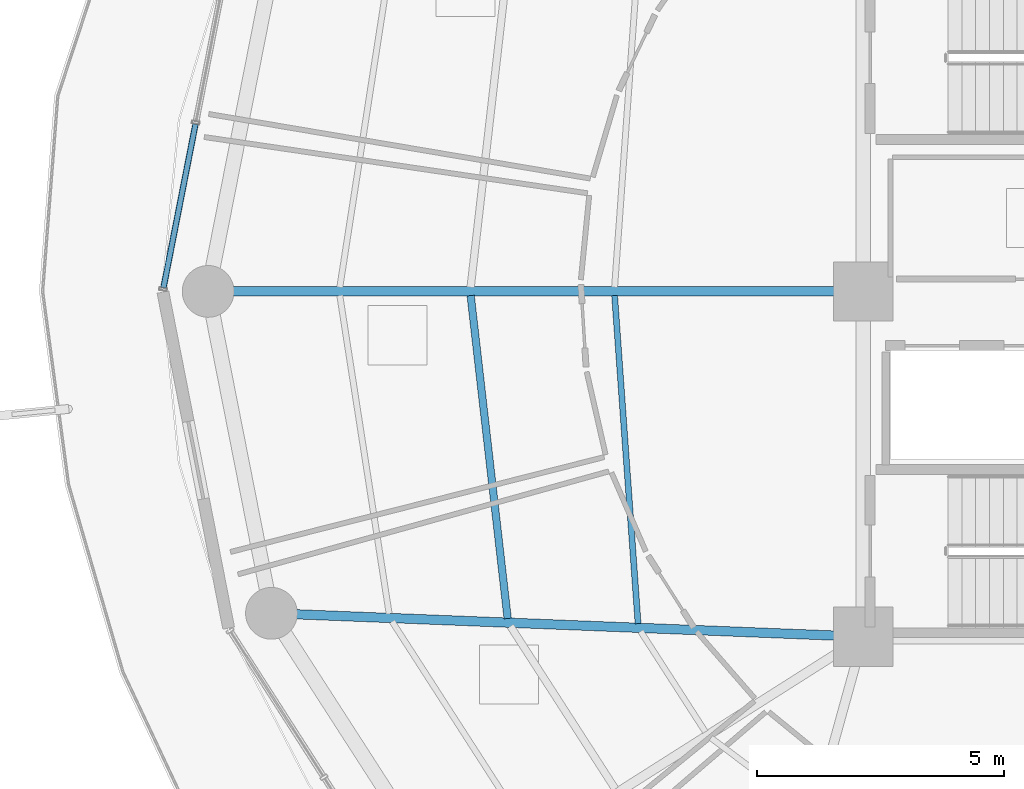
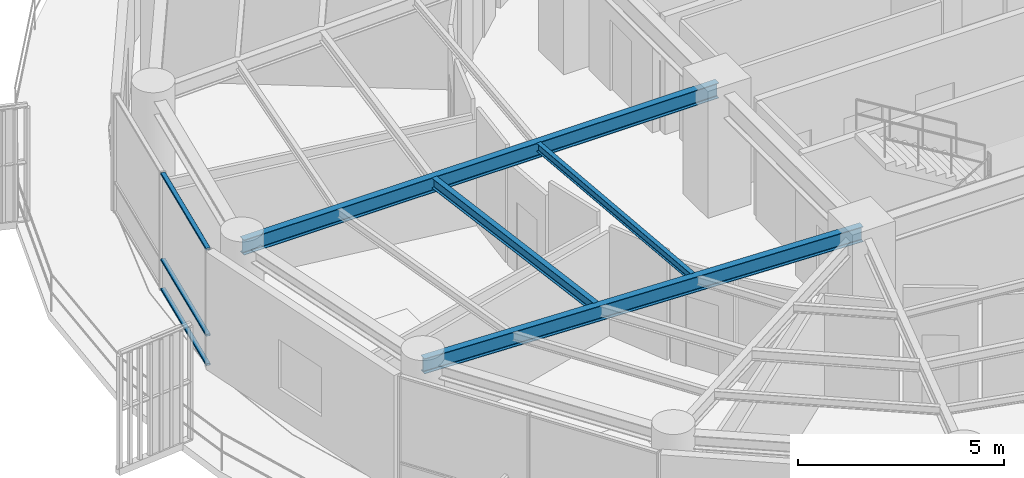
# One storey, part 7 of 31: 4 beams, 3 members, 1 element without a shape of its own.
"""IFC4 building model written with IfcOpenShell, lengths in metres."""

from ifc_helpers import new_model, si_unit, direction, frame, origin, origin_2d, place, context, subcontext, project, spatial, hollow_rectangle, i_section, extrude, material, layer, layer_set, material_profile, profile_set, type_object, element, aggregate, save


model = new_model("IFC4")

# Units and contexts
model_context = context("Model", 3, precision=1e-05, world=origin(), true_north=direction((0.0, 1.0)))
body_context = subcontext(model_context, "Body", "Model", "MODEL_VIEW")
ifc_project = project(units=[si_unit("LENGTHUNIT", "METRE"), si_unit("AREAUNIT", "SQUARE_METRE"), si_unit("VOLUMEUNIT", "CUBIC_METRE"), si_unit("PLANEANGLEUNIT", "RADIAN"), si_unit("MASSUNIT", "GRAM", prefix="KILO")], contexts=[model_context])

# Site, building, storey
site_placement = place(None, origin())
site = spatial("IfcSite", under=ifc_project, at=site_placement, CompositionType="ELEMENT")
building_placement = place(site_placement, origin())
building = spatial("IfcBuilding", under=site, at=building_placement, Name="Kelanora Arch Commons", CompositionType="ELEMENT")
storey_placement = place(building_placement, frame((0.0, 0.0, 193.199951171875)))
storey = spatial("IfcBuildingStorey", under=building, at=storey_placement, Name="L49", CompositionType="ELEMENT", Elevation=193.199951171875)

# Beams
ifc_material_1 = material(Name="Steel S355", Category="steel")
ifc_material_profile_1 = material_profile(ifc_material_1, i_section(OverallWidth=0.14990234375, OverallDepth=0.300048828125, WebThickness=0.007080078125, FlangeThickness=0.0107421875, FilletRadius=0.014892578125, at=origin_2d()), Name="IPE300")
ifc_profile_set_1 = profile_set([ifc_material_profile_1], Name="Steel S355")
beam_type_1 = type_object("IfcBeamType", Name="BM-JST-01", PredefinedType="JOIST", material=ifc_profile_set_1)
beam_1_placement = place(storey_placement, frame((58.041748046875, 57.91552734375, 3.340087890625), z_axis=(0.113891408177, -0.993493204377, 0.0), x_axis=(0.993493204377, 0.113891408177, 0.0)))
element("IfcBeam", 1, at=beam_1_placement, inside=storey, type_object=beam_type_1, Name="Secondary Chord Joist BJB-18 L49", PredefinedType="JOIST", context=body_context, shape_type="SweptSolid", body=[
    extrude(i_section(OverallWidth=0.14990234375, OverallDepth=0.300048828125, WebThickness=0.007080078125, FlangeThickness=0.0107421875, FilletRadius=0.014892578125, at=origin_2d()), origin(), (0.0, 0.0, 1.0), 6.589599609375),
])
ifc_material_profile_2 = material_profile(ifc_material_1, i_section(OverallWidth=0.1201171875, OverallDepth=0.239990234375, WebThickness=0.006103515625, FlangeThickness=0.009765625, FilletRadius=0.014892578125, at=origin_2d()), Name="IPE240")
ifc_profile_set_2 = profile_set([ifc_material_profile_2], Name="Steel S355")
beam_type_2 = type_object("IfcBeamType", Name="BM-JST-02", PredefinedType="JOIST", material=ifc_profile_set_2)
beam_2_placement = place(storey_placement, frame((60.959716796875, 57.915283203125, 3.3701171875), z_axis=(0.07133032136, -0.997452748382, 0.0), x_axis=(0.997452748382, 0.07133032136, 0.0)))
element("IfcBeam", 2, at=beam_2_placement, inside=storey, type_object=beam_type_2, Name="Secondary Chord Joist BJA-18 L49", PredefinedType="JOIST", context=body_context, shape_type="SweptSolid", body=[
    extrude(i_section(OverallWidth=0.1201171875, OverallDepth=0.239990234375, WebThickness=0.006103515625, FlangeThickness=0.009765625, FilletRadius=0.014892578125, at=origin_2d()), origin(), (0.0, 0.0, 1.0), 6.66748046875),
])
ifc_material_profile_3 = material_profile(ifc_material_1, i_section(OverallWidth=0.18994140625, OverallDepth=0.449951171875, WebThickness=0.009521484375, FlangeThickness=0.0146484375, FilletRadius=0.02099609375, at=origin_2d()), Name="IPE450")
ifc_profile_set_3 = profile_set([ifc_material_profile_3], Name="Steel S355")
beam_type_3 = type_object("IfcBeamType", Name="BM-RAD-Z4", PredefinedType="BEAM", material=ifc_profile_set_3)
beam_3_placement = place(storey_placement, frame((66.0, 58.0, 3.26513671875), z_axis=(-1.0, 0.0, 0.0), x_axis=(0.0, -1.0, 0.0)))
element("IfcBeam", 3, at=beam_3_placement, inside=storey, type_object=beam_type_3, Name="Radial Floor Girder BR-18 L49", PredefinedType="BEAM", context=body_context, shape_type="SweptSolid", body=[
    extrude(i_section(OverallWidth=0.18994140625, OverallDepth=0.449951171875, WebThickness=0.009521484375, FlangeThickness=0.0146484375, FilletRadius=0.02099609375, at=origin_2d()), origin(), (0.0, 0.0, 1.0), 13.280029296875),
])
beam_4_placement = place(storey_placement, frame((66.0, 51.0, 3.26513671875), z_axis=(-0.999219142585, 0.03951082246, 0.0), x_axis=(-0.03951082246, -0.999219142585, 0.0)))
element("IfcBeam", 4, at=beam_4_placement, inside=storey, type_object=beam_type_3, Name="Radial Floor Girder BR-20 L49", PredefinedType="BEAM", context=body_context, shape_type="SweptSolid", body=[
    extrude(i_section(OverallWidth=0.18994140625, OverallDepth=0.449951171875, WebThickness=0.009521484375, FlangeThickness=0.0146484375, FilletRadius=0.02099609375, at=origin_2d()), origin(), (0.0, 0.0, 1.0), 12.005859375),
])

# Curtain wall, members
ifc_material_2 = material(Name="Terracotta ceramic-fritted low-E glass and aluminium", Category="masonry")
ifc_layer = layer(ifc_material_2, 0.175048828125)
ifc_layer_set = layer_set([ifc_layer], Name="Terracotta ceramic-fritted low-E glass and aluminium")
curtain_wall_type = type_object("IfcCurtainWallType", Name="CW-SYS-02", PredefinedType="NOTDEFINED", material=ifc_layer_set)
curtain_wall_placement = place(storey_placement, origin())
curtain_wall = element("IfcCurtainWall", 5, at=curtain_wall_placement, inside=storey, type_object=curtain_wall_type, Name="Unitised Curtain Wall L49-B08", PredefinedType="NOTDEFINED")
ifc_material_3 = material(Name="Powder-coated aluminium terracotta", Category="masonry")
ifc_material_profile_4 = material_profile(ifc_material_3, hollow_rectangle(XDim=0.1201171875, YDim=0.06005859375, WallThickness=0.0048828125, InnerFilletRadius=0.0048828125, OuterFilletRadius=0.010009765625, at=origin_2d()), Name="CWT120x60")
ifc_profile_set_4 = profile_set([ifc_material_profile_4], Name="Powder-coated aluminium terracotta")
member_type = type_object("IfcMemberType", Name="CWT-STD", PredefinedType="USERDEFINED", material=ifc_profile_set_4)
member_1_placement = place(storey_placement, frame((52.463623046875, 61.390869140625, 0.030029296875), z_axis=(-0.192044874899, -0.981386145218, 0.0), x_axis=(0.981386145218, -0.192044874899, 0.0)))
member_1 = element("IfcMember", 6, at=member_1_placement, type_object=member_type, Name="CW-02 transom 2.1", ObjectType="TRANSOM", PredefinedType="USERDEFINED", context=body_context, shape_type="SweptSolid", body=[
    extrude(hollow_rectangle(XDim=0.1201171875, YDim=0.06005859375, WallThickness=0.0048828125, InnerFilletRadius=0.0048828125, OuterFilletRadius=0.010009765625, at=origin_2d()), origin(), (0.0, 0.0, 1.0), 3.38037109375),
])
member_2_placement = place(storey_placement, frame((52.463623046875, 61.390869140625, 0.900146484375), z_axis=(-0.192044874899, -0.981386145218, 0.0), x_axis=(0.981386145218, -0.192044874899, 0.0)))
member_2 = element("IfcMember", 7, at=member_2_placement, type_object=member_type, Name="CW-02 transom 2.2", ObjectType="TRANSOM", PredefinedType="USERDEFINED", context=body_context, shape_type="SweptSolid", body=[
    extrude(hollow_rectangle(XDim=0.1201171875, YDim=0.06005859375, WallThickness=0.0048828125, InnerFilletRadius=0.0048828125, OuterFilletRadius=0.010009765625, at=origin_2d()), origin(), (0.0, 0.0, 1.0), 3.38037109375),
])
member_3_placement = place(storey_placement, frame((52.463623046875, 61.390869140625, 3.445068359375), z_axis=(-0.192044874899, -0.981386145218, 0.0), x_axis=(0.981386145218, -0.192044874899, 0.0)))
member_3 = element("IfcMember", 8, at=member_3_placement, type_object=member_type, Name="CW-02 transom 2.3", ObjectType="TRANSOM", PredefinedType="USERDEFINED", context=body_context, shape_type="SweptSolid", body=[
    extrude(hollow_rectangle(XDim=0.1201171875, YDim=0.06005859375, WallThickness=0.0048828125, InnerFilletRadius=0.0048828125, OuterFilletRadius=0.010009765625, at=origin_2d()), origin(), (0.0, 0.0, 1.0), 3.38037109375),
])
aggregate(curtain_wall, [member_1, member_2, member_3])

save(model, "model.ifc")
